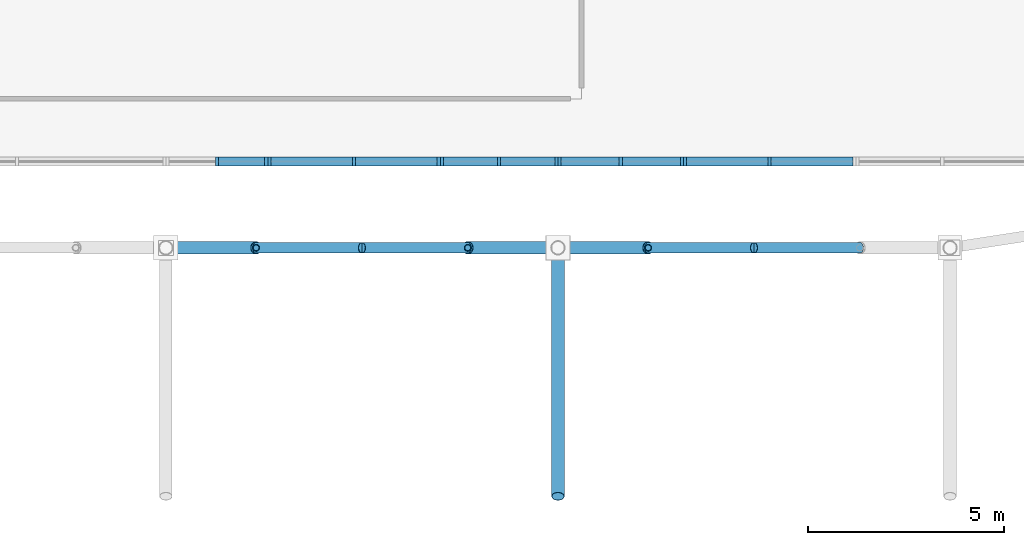
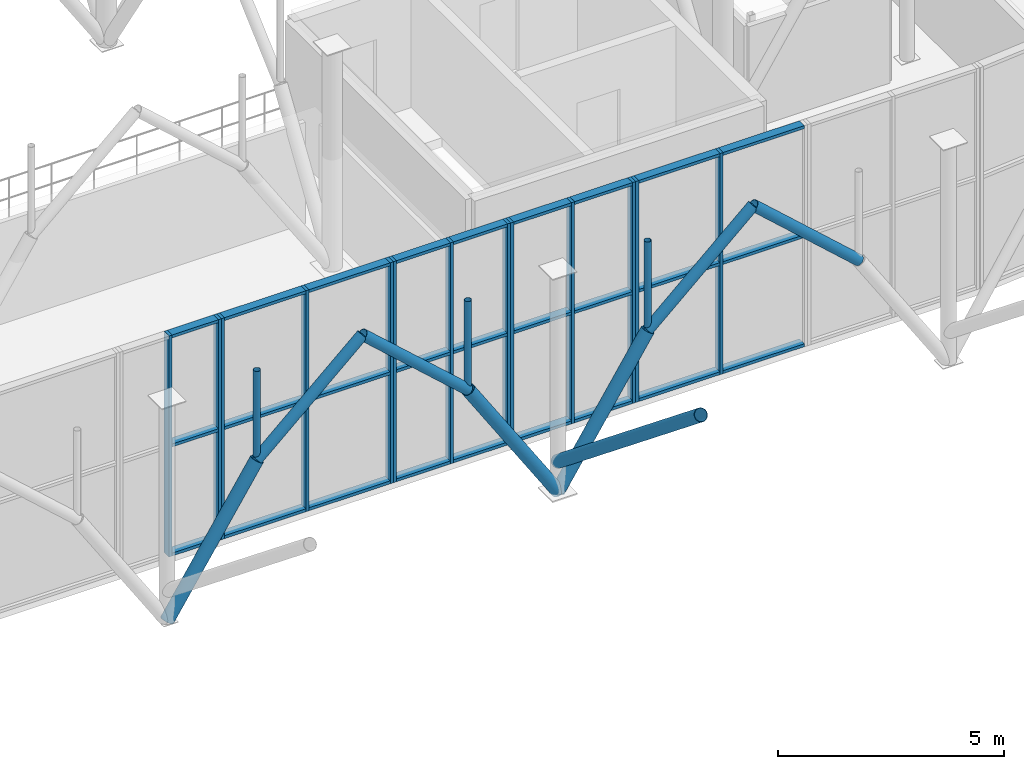
# One storey, part 62 of 109: 51 members, 5 elements without a shape of their own.
"""IFC4 building model written with IfcOpenShell, lengths in metres."""

from ifc_helpers import new_model, si_unit, derived_unit, direction, frame, origin, origin_2d_with_axis, place, context, subcontext, project, spatial, rectangle, hollow_circle, extrude, material, material_profile, profile_set, type_object, element, aggregate, save


model = new_model("IFC4")

# Units and contexts
model_context = context("Model", 3, precision=1e-05, world=origin(), true_north=direction((0.0, 1.0)))
body_context = subcontext(model_context, "Body", "Model", "MODEL_VIEW")
ifc_project = project(units=[si_unit("LENGTHUNIT", "METRE"), si_unit("AREAUNIT", "SQUARE_METRE"), si_unit("VOLUMEUNIT", "CUBIC_METRE"), si_unit("PLANEANGLEUNIT", "RADIAN"), si_unit("MASSUNIT", "GRAM", prefix="KILO"), derived_unit("THERMALTRANSMITTANCEUNIT", [(si_unit("POWERUNIT", "WATT"), 1), (si_unit("LENGTHUNIT", "METRE"), -2), (si_unit("THERMODYNAMICTEMPERATUREUNIT", "KELVIN"), -1)])], contexts=[model_context])

# Site, building, storey
site_placement = place(None, origin())
site = spatial("IfcSite", under=ifc_project, at=site_placement, CompositionType="ELEMENT")
building_placement = place(site_placement, origin())
building = spatial("IfcBuilding", under=site, at=building_placement, Name="Cinnabar Yard Market Hall", CompositionType="ELEMENT")
storey_placement = place(building_placement, frame((0.0, 0.0, 8.39990234375)))
storey = spatial("IfcBuildingStorey", under=building, at=storey_placement, Name="L02", CompositionType="ELEMENT", Elevation=8.39990234375)

# Curtain wall, members
ifc_material_1 = material(Name="Anodised bronze aluminium and low-E glass", Category="aluminium")
curtain_wall_type_1 = type_object("IfcCurtainWallType", Name="CW-CWH026x60", PredefinedType="NOTDEFINED", material=ifc_material_1)
curtain_wall_1_placement = place(storey_placement, origin())
curtain_wall_1 = element("IfcCurtainWall", 1, at=curtain_wall_1_placement, inside=storey, type_object=curtain_wall_type_1, Name="Market Hall South Upper Clerestory B5A", PredefinedType="NOTDEFINED")
ifc_material_2 = material(Name="Anodised bronze aluminium", Category="aluminium")
ifc_material_profile_1 = material_profile(ifc_material_2, rectangle(XDim=0.219970703125, YDim=0.080078125, at=origin_2d_with_axis()), Name="MUL-CWH")
ifc_profile_set_1 = profile_set([ifc_material_profile_1], Name="Anodised bronze aluminium")
member_type_1 = type_object("IfcMemberType", Name="CWM-CWH", PredefinedType="MULLION", material=ifc_profile_set_1)
member_1_placement = place(storey_placement, frame((127.300048828125, 16.199951171875, 0.0), z_axis=(0.0, 0.0, 1.0), x_axis=(0.0, 1.0, 0.0)))
member_1 = element("IfcMember", 2, at=member_1_placement, type_object=member_type_1, Name="CWH026x60 mullion 2", PredefinedType="MULLION", context=body_context, shape_type="SweptSolid", body=[
    extrude(rectangle(XDim=0.219970703125, YDim=0.080078125, at=origin_2d_with_axis()), origin(), (0.0, 0.0, 1.0), 5.97998046875),
])
member_2_placement = place(storey_placement, frame((128.56005859375, 16.199951171875, 0.0), z_axis=(0.0, 0.0, 1.0), x_axis=(0.0, 1.0, 0.0)))
member_2 = element("IfcMember", 3, at=member_2_placement, type_object=member_type_1, Name="CWH026x60 mullion 3", PredefinedType="MULLION", context=body_context, shape_type="SweptSolid", body=[
    extrude(rectangle(XDim=0.219970703125, YDim=0.080078125, at=origin_2d_with_axis()), origin(), (0.0, 0.0, 1.0), 5.97998046875),
])

curtain_wall_type_2 = type_object("IfcCurtainWallType", Name="CW-CWH044x60", PredefinedType="NOTDEFINED", material=ifc_material_1)
curtain_wall_2_placement = place(storey_placement, origin())
curtain_wall_2 = element("IfcCurtainWall", 4, at=curtain_wall_2_placement, inside=storey, type_object=curtain_wall_type_2, Name="Market Hall South Upper Clerestory PTB5", PredefinedType="NOTDEFINED")
member_3_placement = place(storey_placement, frame((128.639892578125, 16.199951171875, 0.0), z_axis=(0.0, 0.0, 1.0), x_axis=(0.0, 1.0, 0.0)))
member_3 = element("IfcMember", 5, at=member_3_placement, type_object=member_type_1, Name="CWH044x60 mullion 1", PredefinedType="MULLION", context=body_context, shape_type="SweptSolid", body=[
    extrude(rectangle(XDim=0.219970703125, YDim=0.080078125, at=origin_2d_with_axis()), origin(), (0.0, 0.0, 1.0), 5.97998046875),
])
member_4_placement = place(storey_placement, frame((130.800048828125, 16.199951171875, 0.0), z_axis=(0.0, 0.0, 1.0), x_axis=(0.0, 1.0, 0.0)))
member_4 = element("IfcMember", 6, at=member_4_placement, type_object=member_type_1, Name="CWH044x60 mullion 2", PredefinedType="MULLION", context=body_context, shape_type="SweptSolid", body=[
    extrude(rectangle(XDim=0.219970703125, YDim=0.080078125, at=origin_2d_with_axis()), origin(), (0.0, 0.0, 1.0), 5.97998046875),
])
member_5_placement = place(storey_placement, frame((132.9599609375, 16.199951171875, 0.0), z_axis=(0.0, 0.0, 1.0), x_axis=(0.0, 1.0, 0.0)))
member_5 = element("IfcMember", 7, at=member_5_placement, type_object=member_type_1, Name="CWH044x60 mullion 3", PredefinedType="MULLION", context=body_context, shape_type="SweptSolid", body=[
    extrude(rectangle(XDim=0.219970703125, YDim=0.080078125, at=origin_2d_with_axis()), origin(), (0.0, 0.0, 1.0), 5.97998046875),
])

curtain_wall_type_3 = type_object("IfcCurtainWallType", Name="CW-CWH030x60", PredefinedType="NOTDEFINED", material=ifc_material_1)
curtain_wall_3_placement = place(storey_placement, origin())
curtain_wall_3 = element("IfcCurtainWall", 8, at=curtain_wall_3_placement, inside=storey, type_object=curtain_wall_type_3, Name="Market Hall South Upper Clerestory B5B", PredefinedType="NOTDEFINED")
member_6_placement = place(storey_placement, frame((133.0400390625, 16.199951171875, 0.0), z_axis=(0.0, 0.0, 1.0), x_axis=(0.0, 1.0, 0.0)))
member_6 = element("IfcMember", 9, at=member_6_placement, type_object=member_type_1, Name="CWH030x60 mullion 1", PredefinedType="MULLION", context=body_context, shape_type="SweptSolid", body=[
    extrude(rectangle(XDim=0.219970703125, YDim=0.080078125, at=origin_2d_with_axis()), origin(), (0.0, 0.0, 1.0), 5.97998046875),
])
member_7_placement = place(storey_placement, frame((134.5, 16.199951171875, 0.0), z_axis=(0.0, 0.0, 1.0), x_axis=(0.0, 1.0, 0.0)))
member_7 = element("IfcMember", 10, at=member_7_placement, type_object=member_type_1, Name="CWH030x60 mullion 2", PredefinedType="MULLION", context=body_context, shape_type="SweptSolid", body=[
    extrude(rectangle(XDim=0.219970703125, YDim=0.080078125, at=origin_2d_with_axis()), origin(), (0.0, 0.0, 1.0), 5.97998046875),
])
member_8_placement = place(storey_placement, frame((135.9599609375, 16.199951171875, 0.0), z_axis=(0.0, 0.0, 1.0), x_axis=(0.0, 1.0, 0.0)))
member_8 = element("IfcMember", 11, at=member_8_placement, type_object=member_type_1, Name="CWH030x60 mullion 3", PredefinedType="MULLION", context=body_context, shape_type="SweptSolid", body=[
    extrude(rectangle(XDim=0.219970703125, YDim=0.080078125, at=origin_2d_with_axis()), origin(), (0.0, 0.0, 1.0), 5.97998046875),
])

curtain_wall_type_4 = type_object("IfcCurtainWallType", Name="CW-CWH032x60", PredefinedType="NOTDEFINED", material=ifc_material_1)
curtain_wall_4_placement = place(storey_placement, origin())
curtain_wall_4 = element("IfcCurtainWall", 12, at=curtain_wall_4_placement, inside=storey, type_object=curtain_wall_type_4, Name="Market Hall South Upper Clerestory B6A", PredefinedType="NOTDEFINED")
member_9_placement = place(storey_placement, frame((136.0400390625, 16.199951171875, 0.0), z_axis=(0.0, 0.0, 1.0), x_axis=(0.0, 1.0, 0.0)))
member_9 = element("IfcMember", 13, at=member_9_placement, type_object=member_type_1, Name="CWH032x60 mullion 1", PredefinedType="MULLION", context=body_context, shape_type="SweptSolid", body=[
    extrude(rectangle(XDim=0.219970703125, YDim=0.080078125, at=origin_2d_with_axis()), origin(), (0.0, 0.0, 1.0), 5.97998046875),
])
member_10_placement = place(storey_placement, frame((137.60009765625, 16.199951171875, 0.0), z_axis=(0.0, 0.0, 1.0), x_axis=(0.0, 1.0, 0.0)))
member_10 = element("IfcMember", 14, at=member_10_placement, type_object=member_type_1, Name="CWH032x60 mullion 2", PredefinedType="MULLION", context=body_context, shape_type="SweptSolid", body=[
    extrude(rectangle(XDim=0.219970703125, YDim=0.080078125, at=origin_2d_with_axis()), origin(), (0.0, 0.0, 1.0), 5.97998046875),
])
member_11_placement = place(storey_placement, frame((139.159912109375, 16.199951171875, 0.0), z_axis=(0.0, 0.0, 1.0), x_axis=(0.0, 1.0, 0.0)))
member_11 = element("IfcMember", 15, at=member_11_placement, type_object=member_type_1, Name="CWH032x60 mullion 3", PredefinedType="MULLION", context=body_context, shape_type="SweptSolid", body=[
    extrude(rectangle(XDim=0.219970703125, YDim=0.080078125, at=origin_2d_with_axis()), origin(), (0.0, 0.0, 1.0), 5.97998046875),
])

curtain_wall_5_placement = place(storey_placement, origin())
curtain_wall_5 = element("IfcCurtainWall", 16, at=curtain_wall_5_placement, inside=storey, type_object=curtain_wall_type_2, Name="Market Hall South Upper Clerestory PTE", PredefinedType="NOTDEFINED")
member_12_placement = place(storey_placement, frame((139.239990234375, 16.199951171875, 0.0), z_axis=(0.0, 0.0, 1.0), x_axis=(0.0, 1.0, 0.0)))
member_12 = element("IfcMember", 17, at=member_12_placement, type_object=member_type_1, Name="CWH044x60 mullion 1", PredefinedType="MULLION", context=body_context, shape_type="SweptSolid", body=[
    extrude(rectangle(XDim=0.219970703125, YDim=0.080078125, at=origin_2d_with_axis()), origin(), (0.0, 0.0, 1.0), 5.97998046875),
])
member_13_placement = place(storey_placement, frame((141.39990234375, 16.199951171875, 0.0), z_axis=(0.0, 0.0, 1.0), x_axis=(0.0, 1.0, 0.0)))
member_13 = element("IfcMember", 18, at=member_13_placement, type_object=member_type_1, Name="CWH044x60 mullion 2", PredefinedType="MULLION", context=body_context, shape_type="SweptSolid", body=[
    extrude(rectangle(XDim=0.219970703125, YDim=0.080078125, at=origin_2d_with_axis()), origin(), (0.0, 0.0, 1.0), 5.97998046875),
])

# Member
ifc_material_profile_2 = material_profile(ifc_material_2, rectangle(XDim=0.219970703125, YDim=0.080078125, at=origin_2d_with_axis()), Name="TRN-CWH")
ifc_profile_set_2 = profile_set([ifc_material_profile_2], Name="Anodised bronze aluminium")
member_type_2 = type_object("IfcMemberType", Name="CWT-CWH", PredefinedType="USERDEFINED", material=ifc_profile_set_2)
member_14_placement = place(storey_placement, frame((127.340087890625, 16.199951171875, 0.0400390625), z_axis=(1.0, 0.0, 0.0), x_axis=(0.0, 1.0, 0.0)))
member_14 = element("IfcMember", 19, at=member_14_placement, type_object=member_type_2, Name="CWH026x60 transom 2.1", ObjectType="TRANSOM", PredefinedType="USERDEFINED", context=body_context, shape_type="SweptSolid", body=[
    extrude(rectangle(XDim=0.219970703125, YDim=0.080078125, at=origin_2d_with_axis()), origin(), (0.0, 0.0, 1.0), 1.179931640625),
])

member_15_placement = place(storey_placement, frame((127.340087890625, 16.199951171875, 2.989990234375), z_axis=(1.0, 0.0, 0.0), x_axis=(0.0, 1.0, 0.0)))
member_15 = element("IfcMember", 20, at=member_15_placement, type_object=member_type_2, Name="CWH026x60 transom 2.2", ObjectType="TRANSOM", PredefinedType="USERDEFINED", context=body_context, shape_type="SweptSolid", body=[
    extrude(rectangle(XDim=0.219970703125, YDim=0.080078125, at=origin_2d_with_axis()), origin(), (0.0, 0.0, 1.0), 1.179931640625),
])

member_16_placement = place(storey_placement, frame((127.340087890625, 16.199951171875, 5.940185546875), z_axis=(1.0, 0.0, 0.0), x_axis=(0.0, 1.0, 0.0)))
member_16 = element("IfcMember", 21, at=member_16_placement, type_object=member_type_2, Name="CWH026x60 transom 2.3", ObjectType="TRANSOM", PredefinedType="USERDEFINED", context=body_context, shape_type="SweptSolid", body=[
    extrude(rectangle(XDim=0.219970703125, YDim=0.080078125, at=origin_2d_with_axis()), origin(), (0.0, 0.0, 1.0), 1.179931640625),
])

aggregate(curtain_wall_1, [member_1, member_2, member_14, member_15, member_16])

member_17_placement = place(storey_placement, frame((128.679931640625, 16.199951171875, 0.0400390625), z_axis=(1.0, 0.0, 0.0), x_axis=(0.0, 1.0, 0.0)))
member_17 = element("IfcMember", 22, at=member_17_placement, type_object=member_type_2, Name="CWH044x60 transom 1.1", ObjectType="TRANSOM", PredefinedType="USERDEFINED", context=body_context, shape_type="SweptSolid", body=[
    extrude(rectangle(XDim=0.219970703125, YDim=0.080078125, at=origin_2d_with_axis()), origin(), (0.0, 0.0, 1.0), 2.080078125),
])

member_18_placement = place(storey_placement, frame((128.679931640625, 16.199951171875, 2.989990234375), z_axis=(1.0, 0.0, 0.0), x_axis=(0.0, 1.0, 0.0)))
member_18 = element("IfcMember", 23, at=member_18_placement, type_object=member_type_2, Name="CWH044x60 transom 1.2", ObjectType="TRANSOM", PredefinedType="USERDEFINED", context=body_context, shape_type="SweptSolid", body=[
    extrude(rectangle(XDim=0.219970703125, YDim=0.080078125, at=origin_2d_with_axis()), origin(), (0.0, 0.0, 1.0), 2.080078125),
])

member_19_placement = place(storey_placement, frame((128.679931640625, 16.199951171875, 5.940185546875), z_axis=(1.0, 0.0, 0.0), x_axis=(0.0, 1.0, 0.0)))
member_19 = element("IfcMember", 24, at=member_19_placement, type_object=member_type_2, Name="CWH044x60 transom 1.3", ObjectType="TRANSOM", PredefinedType="USERDEFINED", context=body_context, shape_type="SweptSolid", body=[
    extrude(rectangle(XDim=0.219970703125, YDim=0.080078125, at=origin_2d_with_axis()), origin(), (0.0, 0.0, 1.0), 2.080078125),
])

member_20_placement = place(storey_placement, frame((130.840087890625, 16.199951171875, 0.0400390625), z_axis=(1.0, 0.0, 0.0), x_axis=(0.0, 1.0, 0.0)))
member_20 = element("IfcMember", 25, at=member_20_placement, type_object=member_type_2, Name="CWH044x60 transom 2.1", ObjectType="TRANSOM", PredefinedType="USERDEFINED", context=body_context, shape_type="SweptSolid", body=[
    extrude(rectangle(XDim=0.219970703125, YDim=0.080078125, at=origin_2d_with_axis()), origin(), (0.0, 0.0, 1.0), 2.079833984375),
])

member_21_placement = place(storey_placement, frame((130.840087890625, 16.199951171875, 2.989990234375), z_axis=(1.0, 0.0, 0.0), x_axis=(0.0, 1.0, 0.0)))
member_21 = element("IfcMember", 26, at=member_21_placement, type_object=member_type_2, Name="CWH044x60 transom 2.2", ObjectType="TRANSOM", PredefinedType="USERDEFINED", context=body_context, shape_type="SweptSolid", body=[
    extrude(rectangle(XDim=0.219970703125, YDim=0.080078125, at=origin_2d_with_axis()), origin(), (0.0, 0.0, 1.0), 2.079833984375),
])

member_22_placement = place(storey_placement, frame((130.840087890625, 16.199951171875, 5.940185546875), z_axis=(1.0, 0.0, 0.0), x_axis=(0.0, 1.0, 0.0)))
member_22 = element("IfcMember", 27, at=member_22_placement, type_object=member_type_2, Name="CWH044x60 transom 2.3", ObjectType="TRANSOM", PredefinedType="USERDEFINED", context=body_context, shape_type="SweptSolid", body=[
    extrude(rectangle(XDim=0.219970703125, YDim=0.080078125, at=origin_2d_with_axis()), origin(), (0.0, 0.0, 1.0), 2.079833984375),
])

aggregate(curtain_wall_2, [member_3, member_4, member_5, member_17, member_18, member_19, member_20, member_21, member_22])

member_23_placement = place(storey_placement, frame((133.080078125, 16.199951171875, 0.0400390625), z_axis=(1.0, 0.0, 0.0), x_axis=(0.0, 1.0, 0.0)))
member_23 = element("IfcMember", 28, at=member_23_placement, type_object=member_type_2, Name="CWH030x60 transom 1.1", ObjectType="TRANSOM", PredefinedType="USERDEFINED", context=body_context, shape_type="SweptSolid", body=[
    extrude(rectangle(XDim=0.219970703125, YDim=0.080078125, at=origin_2d_with_axis()), origin(), (0.0, 0.0, 1.0), 1.3798828125),
])

member_24_placement = place(storey_placement, frame((133.080078125, 16.199951171875, 2.989990234375), z_axis=(1.0, 0.0, 0.0), x_axis=(0.0, 1.0, 0.0)))
member_24 = element("IfcMember", 29, at=member_24_placement, type_object=member_type_2, Name="CWH030x60 transom 1.2", ObjectType="TRANSOM", PredefinedType="USERDEFINED", context=body_context, shape_type="SweptSolid", body=[
    extrude(rectangle(XDim=0.219970703125, YDim=0.080078125, at=origin_2d_with_axis()), origin(), (0.0, 0.0, 1.0), 1.3798828125),
])

member_25_placement = place(storey_placement, frame((133.080078125, 16.199951171875, 5.940185546875), z_axis=(1.0, 0.0, 0.0), x_axis=(0.0, 1.0, 0.0)))
member_25 = element("IfcMember", 30, at=member_25_placement, type_object=member_type_2, Name="CWH030x60 transom 1.3", ObjectType="TRANSOM", PredefinedType="USERDEFINED", context=body_context, shape_type="SweptSolid", body=[
    extrude(rectangle(XDim=0.219970703125, YDim=0.080078125, at=origin_2d_with_axis()), origin(), (0.0, 0.0, 1.0), 1.3798828125),
])

member_26_placement = place(storey_placement, frame((134.5400390625, 16.199951171875, 0.0400390625), z_axis=(1.0, 0.0, 0.0), x_axis=(0.0, 1.0, 0.0)))
member_26 = element("IfcMember", 31, at=member_26_placement, type_object=member_type_2, Name="CWH030x60 transom 2.1", ObjectType="TRANSOM", PredefinedType="USERDEFINED", context=body_context, shape_type="SweptSolid", body=[
    extrude(rectangle(XDim=0.219970703125, YDim=0.080078125, at=origin_2d_with_axis()), origin(), (0.0, 0.0, 1.0), 1.3798828125),
])

member_27_placement = place(storey_placement, frame((134.5400390625, 16.199951171875, 2.989990234375), z_axis=(1.0, 0.0, 0.0), x_axis=(0.0, 1.0, 0.0)))
member_27 = element("IfcMember", 32, at=member_27_placement, type_object=member_type_2, Name="CWH030x60 transom 2.2", ObjectType="TRANSOM", PredefinedType="USERDEFINED", context=body_context, shape_type="SweptSolid", body=[
    extrude(rectangle(XDim=0.219970703125, YDim=0.080078125, at=origin_2d_with_axis()), origin(), (0.0, 0.0, 1.0), 1.3798828125),
])

member_28_placement = place(storey_placement, frame((134.5400390625, 16.199951171875, 5.940185546875), z_axis=(1.0, 0.0, 0.0), x_axis=(0.0, 1.0, 0.0)))
member_28 = element("IfcMember", 33, at=member_28_placement, type_object=member_type_2, Name="CWH030x60 transom 2.3", ObjectType="TRANSOM", PredefinedType="USERDEFINED", context=body_context, shape_type="SweptSolid", body=[
    extrude(rectangle(XDim=0.219970703125, YDim=0.080078125, at=origin_2d_with_axis()), origin(), (0.0, 0.0, 1.0), 1.3798828125),
])

aggregate(curtain_wall_3, [member_6, member_7, member_8, member_23, member_24, member_25, member_26, member_27, member_28])

member_29_placement = place(storey_placement, frame((136.080078125, 16.199951171875, 0.0400390625), z_axis=(1.0, 0.0, 0.0), x_axis=(0.0, 1.0, 0.0)))
member_29 = element("IfcMember", 34, at=member_29_placement, type_object=member_type_2, Name="CWH032x60 transom 1.1", ObjectType="TRANSOM", PredefinedType="USERDEFINED", context=body_context, shape_type="SweptSolid", body=[
    extrude(rectangle(XDim=0.219970703125, YDim=0.080078125, at=origin_2d_with_axis()), origin(), (0.0, 0.0, 1.0), 1.47998046875),
])

member_30_placement = place(storey_placement, frame((136.080078125, 16.199951171875, 2.989990234375), z_axis=(1.0, 0.0, 0.0), x_axis=(0.0, 1.0, 0.0)))
member_30 = element("IfcMember", 35, at=member_30_placement, type_object=member_type_2, Name="CWH032x60 transom 1.2", ObjectType="TRANSOM", PredefinedType="USERDEFINED", context=body_context, shape_type="SweptSolid", body=[
    extrude(rectangle(XDim=0.219970703125, YDim=0.080078125, at=origin_2d_with_axis()), origin(), (0.0, 0.0, 1.0), 1.47998046875),
])

member_31_placement = place(storey_placement, frame((136.080078125, 16.199951171875, 5.940185546875), z_axis=(1.0, 0.0, 0.0), x_axis=(0.0, 1.0, 0.0)))
member_31 = element("IfcMember", 36, at=member_31_placement, type_object=member_type_2, Name="CWH032x60 transom 1.3", ObjectType="TRANSOM", PredefinedType="USERDEFINED", context=body_context, shape_type="SweptSolid", body=[
    extrude(rectangle(XDim=0.219970703125, YDim=0.080078125, at=origin_2d_with_axis()), origin(), (0.0, 0.0, 1.0), 1.47998046875),
])

member_32_placement = place(storey_placement, frame((137.639892578125, 16.199951171875, 0.0400390625), z_axis=(1.0, 0.0, 0.0), x_axis=(0.0, 1.0, 0.0)))
member_32 = element("IfcMember", 37, at=member_32_placement, type_object=member_type_2, Name="CWH032x60 transom 2.1", ObjectType="TRANSOM", PredefinedType="USERDEFINED", context=body_context, shape_type="SweptSolid", body=[
    extrude(rectangle(XDim=0.219970703125, YDim=0.080078125, at=origin_2d_with_axis()), origin(), (0.0, 0.0, 1.0), 1.480224609375),
])

member_33_placement = place(storey_placement, frame((137.639892578125, 16.199951171875, 2.989990234375), z_axis=(1.0, 0.0, 0.0), x_axis=(0.0, 1.0, 0.0)))
member_33 = element("IfcMember", 38, at=member_33_placement, type_object=member_type_2, Name="CWH032x60 transom 2.2", ObjectType="TRANSOM", PredefinedType="USERDEFINED", context=body_context, shape_type="SweptSolid", body=[
    extrude(rectangle(XDim=0.219970703125, YDim=0.080078125, at=origin_2d_with_axis()), origin(), (0.0, 0.0, 1.0), 1.480224609375),
])

member_34_placement = place(storey_placement, frame((137.639892578125, 16.199951171875, 5.940185546875), z_axis=(1.0, 0.0, 0.0), x_axis=(0.0, 1.0, 0.0)))
member_34 = element("IfcMember", 39, at=member_34_placement, type_object=member_type_2, Name="CWH032x60 transom 2.3", ObjectType="TRANSOM", PredefinedType="USERDEFINED", context=body_context, shape_type="SweptSolid", body=[
    extrude(rectangle(XDim=0.219970703125, YDim=0.080078125, at=origin_2d_with_axis()), origin(), (0.0, 0.0, 1.0), 1.480224609375),
])

aggregate(curtain_wall_4, [member_9, member_10, member_11, member_29, member_30, member_31, member_32, member_33, member_34])

member_35_placement = place(storey_placement, frame((139.280029296875, 16.199951171875, 0.0400390625), z_axis=(1.0, 0.0, 0.0), x_axis=(0.0, 1.0, 0.0)))
member_35 = element("IfcMember", 40, at=member_35_placement, type_object=member_type_2, Name="CWH044x60 transom 1.1", ObjectType="TRANSOM", PredefinedType="USERDEFINED", context=body_context, shape_type="SweptSolid", body=[
    extrude(rectangle(XDim=0.219970703125, YDim=0.080078125, at=origin_2d_with_axis()), origin(), (0.0, 0.0, 1.0), 2.080078125),
])

member_36_placement = place(storey_placement, frame((139.280029296875, 16.199951171875, 2.989990234375), z_axis=(1.0, 0.0, 0.0), x_axis=(0.0, 1.0, 0.0)))
member_36 = element("IfcMember", 41, at=member_36_placement, type_object=member_type_2, Name="CWH044x60 transom 1.2", ObjectType="TRANSOM", PredefinedType="USERDEFINED", context=body_context, shape_type="SweptSolid", body=[
    extrude(rectangle(XDim=0.219970703125, YDim=0.080078125, at=origin_2d_with_axis()), origin(), (0.0, 0.0, 1.0), 2.080078125),
])

member_37_placement = place(storey_placement, frame((139.280029296875, 16.199951171875, 5.940185546875), z_axis=(1.0, 0.0, 0.0), x_axis=(0.0, 1.0, 0.0)))
member_37 = element("IfcMember", 42, at=member_37_placement, type_object=member_type_2, Name="CWH044x60 transom 1.3", ObjectType="TRANSOM", PredefinedType="USERDEFINED", context=body_context, shape_type="SweptSolid", body=[
    extrude(rectangle(XDim=0.219970703125, YDim=0.080078125, at=origin_2d_with_axis()), origin(), (0.0, 0.0, 1.0), 2.080078125),
])

member_38_placement = place(storey_placement, frame((141.43994140625, 16.199951171875, 0.0400390625), z_axis=(1.0, 0.0, 0.0), x_axis=(0.0, 1.0, 0.0)))
member_38 = element("IfcMember", 43, at=member_38_placement, type_object=member_type_2, Name="CWH044x60 transom 2.1", ObjectType="TRANSOM", PredefinedType="USERDEFINED", context=body_context, shape_type="SweptSolid", body=[
    extrude(rectangle(XDim=0.219970703125, YDim=0.080078125, at=origin_2d_with_axis()), origin(), (0.0, 0.0, 1.0), 2.080078125),
])

member_39_placement = place(storey_placement, frame((141.43994140625, 16.199951171875, 2.989990234375), z_axis=(1.0, 0.0, 0.0), x_axis=(0.0, 1.0, 0.0)))
member_39 = element("IfcMember", 44, at=member_39_placement, type_object=member_type_2, Name="CWH044x60 transom 2.2", ObjectType="TRANSOM", PredefinedType="USERDEFINED", context=body_context, shape_type="SweptSolid", body=[
    extrude(rectangle(XDim=0.219970703125, YDim=0.080078125, at=origin_2d_with_axis()), origin(), (0.0, 0.0, 1.0), 2.080078125),
])

member_40_placement = place(storey_placement, frame((141.43994140625, 16.199951171875, 5.940185546875), z_axis=(1.0, 0.0, 0.0), x_axis=(0.0, 1.0, 0.0)))
member_40 = element("IfcMember", 45, at=member_40_placement, type_object=member_type_2, Name="CWH044x60 transom 2.3", ObjectType="TRANSOM", PredefinedType="USERDEFINED", context=body_context, shape_type="SweptSolid", body=[
    extrude(rectangle(XDim=0.219970703125, YDim=0.080078125, at=origin_2d_with_axis()), origin(), (0.0, 0.0, 1.0), 2.080078125),
])

aggregate(curtain_wall_5, [member_12, member_13, member_35, member_36, member_37, member_38, member_39, member_40])

# Members
ifc_material_3 = material(Name="Spotted-gum glulam-clad steel Grade 350 (350 MPa)", Category="steel")
ifc_material_profile_3 = material_profile(ifc_material_3, hollow_circle(Radius=0.136474609375, WallThickness=0.00927734375, at=origin_2d_with_axis()), Name="273.1x9.3CHS")
ifc_profile_set_3 = profile_set([ifc_material_profile_3], Name="Spotted-gum glulam-clad steel Grade 350 (350 MPa)")
member_type_3 = type_object("IfcMemberType", Name="MB-AR01E", PredefinedType="USERDEFINED", material=ifc_profile_set_3)
for number, where, z_axis, x_axis, name in (
    (46, (128.300048828125, 14.0, 3.550048828125), (0.743297488271, 0.0, 0.668961018244), (0.0, 1.0, 0.0), "Pointed Arch Rib 0159"),
    (47, (138.300048828125, 14.0, 3.550048828125), (0.743297488271, 0.0, 0.668961018244), (0.0, 1.0, 0.0), "Pointed Arch Rib 0163"),
    (48, (133.699951171875, 14.0, 3.550048828125), (-0.743297488271, 0.0, 0.668961018244), (0.0, -1.0, 0.0), "Pointed Arch Rib 0164"),
    (49, (143.699951171875, 14.0, 3.550048828125), (-0.743297488271, 0.0, 0.668961018244), (0.0, -1.0, 0.0), "Pointed Arch Rib 0167"),
):
    element("IfcMember", number, at=place(storey_placement, frame(where, z_axis=z_axis, x_axis=x_axis)), inside=storey, type_object=member_type_3, Name=name, ObjectType="ARCH RIB", PredefinedType="USERDEFINED", context=body_context, shape_type="SweptSolid", body=[
        extrude(hollow_circle(Radius=0.136474609375, WallThickness=0.00927734375, at=origin_2d_with_axis()), origin(), (0.0, 0.0, 1.0), 3.63232421875),
    ])
ifc_material_profile_4 = material_profile(ifc_material_3, hollow_circle(Radius=0.161865234375, WallThickness=0.009521484375, at=origin_2d_with_axis()), Name="323.9x9.5CHS")
ifc_profile_set_4 = profile_set([ifc_material_profile_4], Name="Spotted-gum glulam-clad steel Grade 350 (350 MPa)")
member_type_4 = type_object("IfcMemberType", Name="MB-ST01E", PredefinedType="STRUT", material=ifc_profile_set_4)
for number, where, z_axis, x_axis, name in (
    (50, (126.0, 14.0, 0.0), (0.543744165176, 0.0, 0.839251024925), (0.0, 1.0, 0.0), "Curved Branch Arm Lower 0159"),
    (51, (136.0, 14.0, 0.0), (0.543744165176, 0.0, 0.839251024925), (0.0, 1.0, 0.0), "Curved Branch Arm Lower 0163"),
    (52, (136.0, 14.0, 0.0), (-0.543744165176, 0.0, 0.839251024925), (0.0, -1.0, 0.0), "Curved Branch Arm Lower 0164"),
):
    element("IfcMember", number, at=place(storey_placement, frame(where, z_axis=z_axis, x_axis=x_axis)), inside=storey, type_object=member_type_4, Name=name, PredefinedType="STRUT", context=body_context, shape_type="SweptSolid", body=[
        extrude(hollow_circle(Radius=0.161865234375, WallThickness=0.009521484375, at=origin_2d_with_axis()), origin(), (0.0, 0.0, 1.0), 4.22998046875),
    ])
member_41_placement = place(storey_placement, frame((136.0, 14.0, 0.800048828125), z_axis=(0.0, -0.779185735248, 0.626793099824), x_axis=(1.0, 0.0, 0.0)))
element("IfcMember", 53, at=member_41_placement, inside=storey, type_object=member_type_4, Name="South Chhajja Bracket Arm 136", PredefinedType="STRUT", context=body_context, shape_type="SweptSolid", body=[
    extrude(hollow_circle(Radius=0.161865234375, WallThickness=0.009521484375, at=origin_2d_with_axis()), origin(), (0.0, 0.0, 1.0), 8.13671875),
])
ifc_material_4 = material(Name="Cold-formed steel C350L0", Category="steel")
ifc_material_profile_5 = material_profile(ifc_material_4, hollow_circle(Radius=0.084228515625, WallThickness=0.00634765625, at=origin_2d_with_axis()), Name="168.3x6.4CHS")
ifc_profile_set_5 = profile_set([ifc_material_profile_5], Name="Cold-formed steel C350L0")
member_type_5 = type_object("IfcMemberType", Name="MB-WB01E", PredefinedType="STRUT", material=ifc_profile_set_5)
for number, where, z_axis, x_axis, name in (
    (54, (128.300048828125, 14.0, 3.550048828125), (0.0, 0.0, 1.0), (1.0, 0.0, 0.0), "Arch Spandrel Post 0159"),
    (55, (138.300048828125, 14.0, 3.550048828125), (0.0, 0.0, 1.0), (1.0, 0.0, 0.0), "Arch Spandrel Post 0163"),
    (56, (133.699951171875, 14.0, 3.550048828125), (0.0, 0.0, 1.0), (1.0, 0.0, 0.0), "Arch Spandrel Post 0164"),
):
    element("IfcMember", number, at=place(storey_placement, frame(where, z_axis=z_axis, x_axis=x_axis)), inside=storey, type_object=member_type_5, Name=name, PredefinedType="STRUT", context=body_context, shape_type="SweptSolid", body=[
        extrude(hollow_circle(Radius=0.084228515625, WallThickness=0.00634765625, at=origin_2d_with_axis()), origin(), (0.0, 0.0, 1.0), 2.429931640625),
    ])

save(model, "model.ifc")
